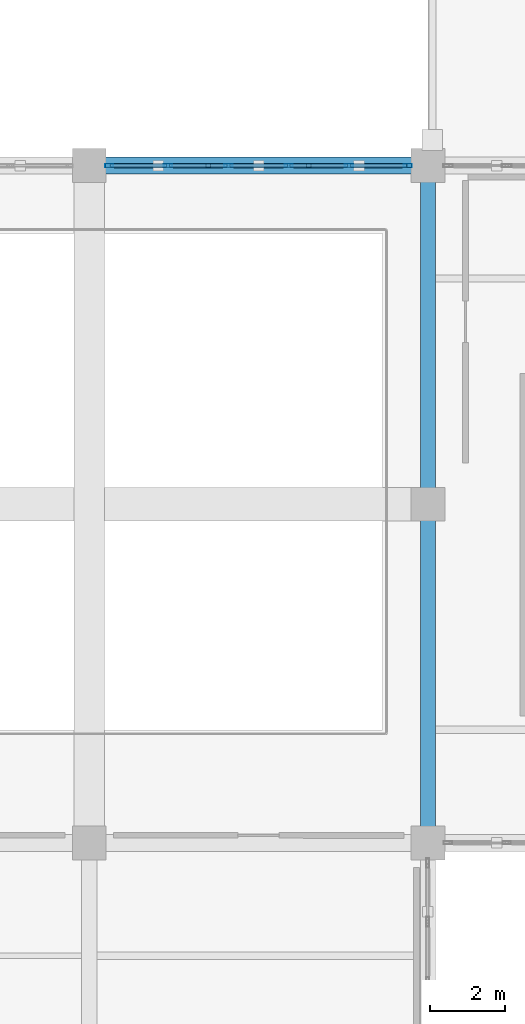
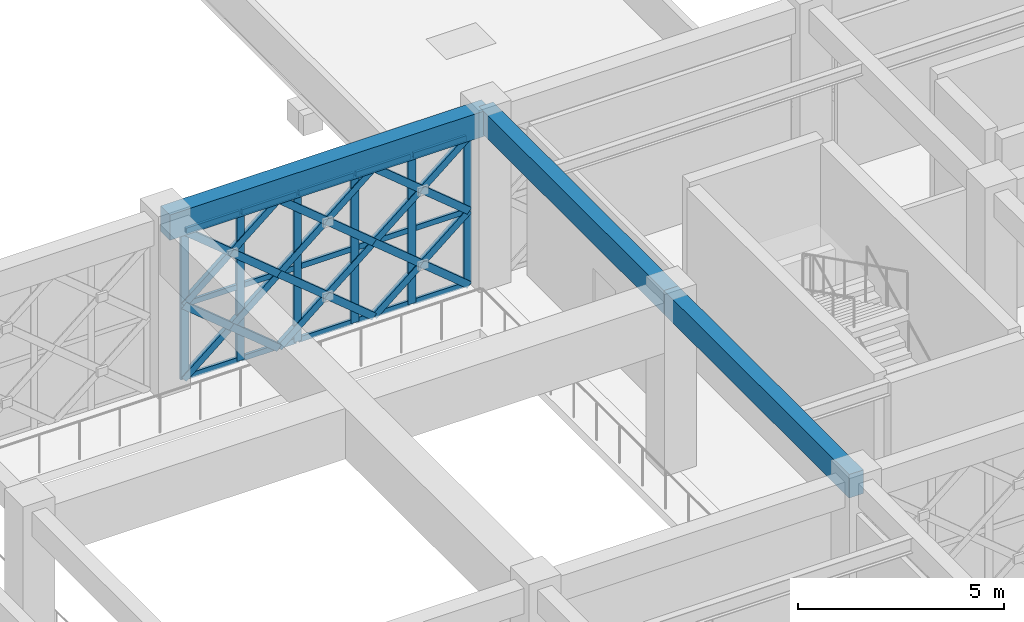
# One storey, part 98 of 155: 39 members, 3 beams, 1 element without a shape of its own.
"""IFC4 building model written with IfcOpenShell, lengths in metres."""

from ifc_helpers import new_model, si_unit, direction, frame, origin, origin_2d, place, context, subcontext, project, spatial, rectangle, hollow_rectangle, extrude, material, material_profile, profile_set, type_object, element, aggregate, save


model = new_model("IFC4")

# Units and contexts
model_context = context("Model", 3, precision=1e-05, world=origin(), true_north=direction((0.0, 1.0)))
body_context = subcontext(model_context, "Body", "Model", "MODEL_VIEW")
ifc_project = project(units=[si_unit("LENGTHUNIT", "METRE"), si_unit("AREAUNIT", "SQUARE_METRE"), si_unit("VOLUMEUNIT", "CUBIC_METRE"), si_unit("PLANEANGLEUNIT", "RADIAN"), si_unit("MASSUNIT", "GRAM", prefix="KILO")], contexts=[model_context])

# Site, building, storey
site_placement = place(None, origin())
site = spatial("IfcSite", under=ifc_project, at=site_placement, CompositionType="ELEMENT")
building_placement = place(site_placement, origin())
building = spatial("IfcBuilding", under=site, at=building_placement, Name="Haizhuo Lancet Aquarium", CompositionType="ELEMENT")
storey_placement = place(building_placement, frame((0.0, 0.0, 10.800048828125)))
storey = spatial("IfcBuildingStorey", under=building, at=storey_placement, Name="L02", CompositionType="ELEMENT", Elevation=10.800048828125)

# Beams
ifc_material_1 = material(Name="Concrete C40/50", Category="concrete")
ifc_material_profile_1 = material_profile(ifc_material_1, rectangle(XDim=0.39990234375, YDim=0.699951171875, at=origin_2d()), Name="RC-BM 400x700")
ifc_profile_set_1 = profile_set([ifc_material_profile_1], Name="Concrete C40/50")
beam_type_1 = type_object("IfcBeamType", Name="BM-RC-400x700", PredefinedType="BEAM", material=ifc_profile_set_1)
for number, where, z_axis, x_axis, name in (
    (1, (54.0, -27.0, 4.81005859375), (0.0, 1.0, 0.0), (-1.0, 0.0, 0.0), "L02 V3 primary girder BM-L02-V3-018"),
    (2, (54.0, -18.0, 4.81005859375), (0.0, 1.0, 0.0), (-1.0, 0.0, 0.0), "L02 V3 primary girder BM-L02-V3-020"),
):
    element("IfcBeam", number, at=place(storey_placement, frame(where, z_axis=z_axis, x_axis=x_axis)), inside=storey, type_object=beam_type_1, Name=name, PredefinedType="BEAM", context=body_context, shape_type="SweptSolid", body=[
        extrude(rectangle(XDim=0.39990234375, YDim=0.699951171875, at=origin_2d()), origin(), (0.0, 0.0, 1.0), 9.0),
    ])
ifc_material_profile_2 = material_profile(ifc_material_1, rectangle(XDim=0.449951171875, YDim=0.75, at=origin_2d()), Name="RC-BM 450x750")
ifc_profile_set_2 = profile_set([ifc_material_profile_2], Name="Concrete C40/50")
beam_type_2 = type_object("IfcBeamType", Name="BM-RC-450x750", PredefinedType="BEAM", material=ifc_profile_set_2)
beam_placement = place(storey_placement, frame((45.0, -9.0, 4.784912109375), z_axis=(1.0, 0.0, 0.0), x_axis=(0.0, 1.0, 0.0)))
element("IfcBeam", 3, at=beam_placement, inside=storey, type_object=beam_type_2, Name="L02 V3 primary girder BM-L02-V3-016", PredefinedType="BEAM", context=body_context, shape_type="SweptSolid", body=[
    extrude(rectangle(XDim=0.449951171875, YDim=0.75, at=origin_2d()), origin(), (0.0, 0.0, 1.0), 9.0),
])

# Curtain wall, members
ifc_material_2 = material(Name="Aluminium 6063-T6", Category="aluminium")
curtain_wall_type = type_object("IfcCurtainWallType", Name="CWO-8010x4410", PredefinedType="NOTDEFINED", material=ifc_material_2)
curtain_wall_placement = place(storey_placement, origin())
curtain_wall = element("IfcCurtainWall", 4, at=curtain_wall_placement, inside=storey, type_object=curtain_wall_type, Name="L02 curtain wall CW-V3-L02-053", PredefinedType="NOTDEFINED")
ifc_material_profile_3 = material_profile(ifc_material_2, hollow_rectangle(XDim=0.074951171875, YDim=0.219970703125, WallThickness=0.0048828125, at=origin_2d()), Name="ALU-M 75x220x5")
ifc_profile_set_3 = profile_set([ifc_material_profile_3], Name="Aluminium 6063-T6")
member_type_1 = type_object("IfcMemberType", Name="CW-MUL-2", PredefinedType="MULLION", material=ifc_profile_set_3)
member_1_placement = place(storey_placement, frame((45.531982421875, -9.0, 0.0), z_axis=(0.0, 0.0, 1.0), x_axis=(0.0, 1.0, 0.0)))
member_1 = element("IfcMember", 5, at=member_1_placement, type_object=member_type_1, Name="CWO-80x44 mullion 1", PredefinedType="MULLION", context=body_context, shape_type="SweptSolid", body=[
    extrude(hollow_rectangle(XDim=0.074951171875, YDim=0.219970703125, WallThickness=0.0048828125, at=origin_2d()), origin(), (0.0, 0.0, 1.0), 4.409912109375),
])
member_2_placement = place(storey_placement, frame((47.096923828125, -9.0, 0.0), z_axis=(0.0, 0.0, 1.0), x_axis=(0.0, 1.0, 0.0)))
member_2 = element("IfcMember", 6, at=member_2_placement, type_object=member_type_1, Name="CWO-80x44 mullion 2", PredefinedType="MULLION", context=body_context, shape_type="SweptSolid", body=[
    extrude(hollow_rectangle(XDim=0.074951171875, YDim=0.219970703125, WallThickness=0.0048828125, at=origin_2d()), origin(), (0.0, 0.0, 1.0), 4.409912109375),
])
member_3_placement = place(storey_placement, frame((48.698974609375, -9.0, 0.0), z_axis=(0.0, 0.0, 1.0), x_axis=(0.0, 1.0, 0.0)))
member_3 = element("IfcMember", 7, at=member_3_placement, type_object=member_type_1, Name="CWO-80x44 mullion 3", PredefinedType="MULLION", context=body_context, shape_type="SweptSolid", body=[
    extrude(hollow_rectangle(XDim=0.074951171875, YDim=0.219970703125, WallThickness=0.0048828125, at=origin_2d()), origin(), (0.0, 0.0, 1.0), 4.409912109375),
])
member_4_placement = place(storey_placement, frame((50.301025390625, -9.0, 0.0), z_axis=(0.0, 0.0, 1.0), x_axis=(0.0, 1.0, 0.0)))
member_4 = element("IfcMember", 8, at=member_4_placement, type_object=member_type_1, Name="CWO-80x44 mullion 4", PredefinedType="MULLION", context=body_context, shape_type="SweptSolid", body=[
    extrude(hollow_rectangle(XDim=0.074951171875, YDim=0.219970703125, WallThickness=0.0048828125, at=origin_2d()), origin(), (0.0, 0.0, 1.0), 4.409912109375),
])
member_5_placement = place(storey_placement, frame((51.903076171875, -9.0, 0.0), z_axis=(0.0, 0.0, 1.0), x_axis=(0.0, 1.0, 0.0)))
member_5 = element("IfcMember", 9, at=member_5_placement, type_object=member_type_1, Name="CWO-80x44 mullion 5", PredefinedType="MULLION", context=body_context, shape_type="SweptSolid", body=[
    extrude(hollow_rectangle(XDim=0.074951171875, YDim=0.219970703125, WallThickness=0.0048828125, at=origin_2d()), origin(), (0.0, 0.0, 1.0), 4.409912109375),
])
member_6_placement = place(storey_placement, frame((53.468017578125, -9.0, 0.0), z_axis=(0.0, 0.0, 1.0), x_axis=(0.0, 1.0, 0.0)))
member_6 = element("IfcMember", 10, at=member_6_placement, type_object=member_type_1, Name="CWO-80x44 mullion 6", PredefinedType="MULLION", context=body_context, shape_type="SweptSolid", body=[
    extrude(hollow_rectangle(XDim=0.074951171875, YDim=0.219970703125, WallThickness=0.0048828125, at=origin_2d()), origin(), (0.0, 0.0, 1.0), 4.409912109375),
])
ifc_material_profile_4 = material_profile(ifc_material_2, hollow_rectangle(XDim=0.074951171875, YDim=0.159912109375, WallThickness=0.00390625, at=origin_2d()), Name="ALU-T 75x160x4")
ifc_profile_set_4 = profile_set([ifc_material_profile_4], Name="Aluminium 6063-T6")
member_type_2 = type_object("IfcMemberType", Name="CW-TRN-2", PredefinedType="NOTDEFINED", material=ifc_profile_set_4)
member_7_placement = place(storey_placement, frame((45.570068359375, -9.0, 0.037841796875), z_axis=(1.0, 0.0, 0.0), x_axis=(0.0, 1.0, 0.0)))
member_7 = element("IfcMember", 11, at=member_7_placement, type_object=member_type_2, Name="CWO-80x44 transom 1.1", ObjectType="TRANSOM", PredefinedType="USERDEFINED", context=body_context, shape_type="SweptSolid", body=[
    extrude(hollow_rectangle(XDim=0.074951171875, YDim=0.159912109375, WallThickness=0.00390625, at=origin_2d()), origin(), (0.0, 0.0, 1.0), 1.489013671875),
])
member_8_placement = place(storey_placement, frame((45.570068359375, -9.0, 2.204833984375), z_axis=(1.0, 0.0, 0.0), x_axis=(0.0, 1.0, 0.0)))
member_8 = element("IfcMember", 12, at=member_8_placement, type_object=member_type_2, Name="CWO-80x44 transom 1.2", ObjectType="TRANSOM", PredefinedType="USERDEFINED", context=body_context, shape_type="SweptSolid", body=[
    extrude(hollow_rectangle(XDim=0.074951171875, YDim=0.159912109375, WallThickness=0.00390625, at=origin_2d()), origin(), (0.0, 0.0, 1.0), 1.489013671875),
])
member_9_placement = place(storey_placement, frame((45.570068359375, -9.0, 4.373046875), z_axis=(1.0, 0.0, 0.0), x_axis=(0.0, 1.0, 0.0)))
member_9 = element("IfcMember", 13, at=member_9_placement, type_object=member_type_2, Name="CWO-80x44 transom 1.3", ObjectType="TRANSOM", PredefinedType="USERDEFINED", context=body_context, shape_type="SweptSolid", body=[
    extrude(hollow_rectangle(XDim=0.074951171875, YDim=0.159912109375, WallThickness=0.00390625, at=origin_2d()), origin(), (0.0, 0.0, 1.0), 1.489013671875),
])
member_10_placement = place(storey_placement, frame((47.134033203125, -9.0, 0.037841796875), z_axis=(1.0, 0.0, 0.0), x_axis=(0.0, 1.0, 0.0)))
member_10 = element("IfcMember", 14, at=member_10_placement, type_object=member_type_2, Name="CWO-80x44 transom 2.1", ObjectType="TRANSOM", PredefinedType="USERDEFINED", context=body_context, shape_type="SweptSolid", body=[
    extrude(hollow_rectangle(XDim=0.074951171875, YDim=0.159912109375, WallThickness=0.00390625, at=origin_2d()), origin(), (0.0, 0.0, 1.0), 1.52685546875),
])
member_11_placement = place(storey_placement, frame((47.134033203125, -9.0, 2.204833984375), z_axis=(1.0, 0.0, 0.0), x_axis=(0.0, 1.0, 0.0)))
member_11 = element("IfcMember", 15, at=member_11_placement, type_object=member_type_2, Name="CWO-80x44 transom 2.2", ObjectType="TRANSOM", PredefinedType="USERDEFINED", context=body_context, shape_type="SweptSolid", body=[
    extrude(hollow_rectangle(XDim=0.074951171875, YDim=0.159912109375, WallThickness=0.00390625, at=origin_2d()), origin(), (0.0, 0.0, 1.0), 1.52685546875),
])
member_12_placement = place(storey_placement, frame((47.134033203125, -9.0, 4.373046875), z_axis=(1.0, 0.0, 0.0), x_axis=(0.0, 1.0, 0.0)))
member_12 = element("IfcMember", 16, at=member_12_placement, type_object=member_type_2, Name="CWO-80x44 transom 2.3", ObjectType="TRANSOM", PredefinedType="USERDEFINED", context=body_context, shape_type="SweptSolid", body=[
    extrude(hollow_rectangle(XDim=0.074951171875, YDim=0.159912109375, WallThickness=0.00390625, at=origin_2d()), origin(), (0.0, 0.0, 1.0), 1.52685546875),
])
member_13_placement = place(storey_placement, frame((48.736083984375, -9.0, 0.037841796875), z_axis=(1.0, 0.0, 0.0), x_axis=(0.0, 1.0, 0.0)))
member_13 = element("IfcMember", 17, at=member_13_placement, type_object=member_type_2, Name="CWO-80x44 transom 3.1", ObjectType="TRANSOM", PredefinedType="USERDEFINED", context=body_context, shape_type="SweptSolid", body=[
    extrude(hollow_rectangle(XDim=0.074951171875, YDim=0.159912109375, WallThickness=0.00390625, at=origin_2d()), origin(), (0.0, 0.0, 1.0), 1.52783203125),
])
member_14_placement = place(storey_placement, frame((48.736083984375, -9.0, 2.204833984375), z_axis=(1.0, 0.0, 0.0), x_axis=(0.0, 1.0, 0.0)))
member_14 = element("IfcMember", 18, at=member_14_placement, type_object=member_type_2, Name="CWO-80x44 transom 3.2", ObjectType="TRANSOM", PredefinedType="USERDEFINED", context=body_context, shape_type="SweptSolid", body=[
    extrude(hollow_rectangle(XDim=0.074951171875, YDim=0.159912109375, WallThickness=0.00390625, at=origin_2d()), origin(), (0.0, 0.0, 1.0), 1.52783203125),
])
member_15_placement = place(storey_placement, frame((48.736083984375, -9.0, 4.373046875), z_axis=(1.0, 0.0, 0.0), x_axis=(0.0, 1.0, 0.0)))
member_15 = element("IfcMember", 19, at=member_15_placement, type_object=member_type_2, Name="CWO-80x44 transom 3.3", ObjectType="TRANSOM", PredefinedType="USERDEFINED", context=body_context, shape_type="SweptSolid", body=[
    extrude(hollow_rectangle(XDim=0.074951171875, YDim=0.159912109375, WallThickness=0.00390625, at=origin_2d()), origin(), (0.0, 0.0, 1.0), 1.52783203125),
])
member_16_placement = place(storey_placement, frame((50.337890625, -9.0, 0.037841796875), z_axis=(1.0, 0.0, 0.0), x_axis=(0.0, 1.0, 0.0)))
member_16 = element("IfcMember", 20, at=member_16_placement, type_object=member_type_2, Name="CWO-80x44 transom 4.1", ObjectType="TRANSOM", PredefinedType="USERDEFINED", context=body_context, shape_type="SweptSolid", body=[
    extrude(hollow_rectangle(XDim=0.074951171875, YDim=0.159912109375, WallThickness=0.00390625, at=origin_2d()), origin(), (0.0, 0.0, 1.0), 1.528076171875),
])
member_17_placement = place(storey_placement, frame((50.337890625, -9.0, 2.204833984375), z_axis=(1.0, 0.0, 0.0), x_axis=(0.0, 1.0, 0.0)))
member_17 = element("IfcMember", 21, at=member_17_placement, type_object=member_type_2, Name="CWO-80x44 transom 4.2", ObjectType="TRANSOM", PredefinedType="USERDEFINED", context=body_context, shape_type="SweptSolid", body=[
    extrude(hollow_rectangle(XDim=0.074951171875, YDim=0.159912109375, WallThickness=0.00390625, at=origin_2d()), origin(), (0.0, 0.0, 1.0), 1.528076171875),
])
member_18_placement = place(storey_placement, frame((50.337890625, -9.0, 4.373046875), z_axis=(1.0, 0.0, 0.0), x_axis=(0.0, 1.0, 0.0)))
member_18 = element("IfcMember", 22, at=member_18_placement, type_object=member_type_2, Name="CWO-80x44 transom 4.3", ObjectType="TRANSOM", PredefinedType="USERDEFINED", context=body_context, shape_type="SweptSolid", body=[
    extrude(hollow_rectangle(XDim=0.074951171875, YDim=0.159912109375, WallThickness=0.00390625, at=origin_2d()), origin(), (0.0, 0.0, 1.0), 1.528076171875),
])
member_19_placement = place(storey_placement, frame((51.94091796875, -9.0, 0.037841796875), z_axis=(1.0, 0.0, 0.0), x_axis=(0.0, 1.0, 0.0)))
member_19 = element("IfcMember", 23, at=member_19_placement, type_object=member_type_2, Name="CWO-80x44 transom 5.1", ObjectType="TRANSOM", PredefinedType="USERDEFINED", context=body_context, shape_type="SweptSolid", body=[
    extrude(hollow_rectangle(XDim=0.074951171875, YDim=0.159912109375, WallThickness=0.00390625, at=origin_2d()), origin(), (0.0, 0.0, 1.0), 1.489013671875),
])
member_20_placement = place(storey_placement, frame((51.94091796875, -9.0, 2.204833984375), z_axis=(1.0, 0.0, 0.0), x_axis=(0.0, 1.0, 0.0)))
member_20 = element("IfcMember", 24, at=member_20_placement, type_object=member_type_2, Name="CWO-80x44 transom 5.2", ObjectType="TRANSOM", PredefinedType="USERDEFINED", context=body_context, shape_type="SweptSolid", body=[
    extrude(hollow_rectangle(XDim=0.074951171875, YDim=0.159912109375, WallThickness=0.00390625, at=origin_2d()), origin(), (0.0, 0.0, 1.0), 1.489013671875),
])
member_21_placement = place(storey_placement, frame((51.94091796875, -9.0, 4.373046875), z_axis=(1.0, 0.0, 0.0), x_axis=(0.0, 1.0, 0.0)))
member_21 = element("IfcMember", 25, at=member_21_placement, type_object=member_type_2, Name="CWO-80x44 transom 5.3", ObjectType="TRANSOM", PredefinedType="USERDEFINED", context=body_context, shape_type="SweptSolid", body=[
    extrude(hollow_rectangle(XDim=0.074951171875, YDim=0.159912109375, WallThickness=0.00390625, at=origin_2d()), origin(), (0.0, 0.0, 1.0), 1.489013671875),
])
aggregate(curtain_wall, [member_1, member_2, member_3, member_4, member_5, member_6, member_7, member_8, member_9, member_10, member_11, member_12, member_13, member_14, member_15, member_16, member_17, member_18, member_19, member_20, member_21])

# Members
ifc_material_3 = material(Name="Steel S355", Category="steel")
ifc_material_profile_5 = material_profile(ifc_material_3, hollow_rectangle(XDim=0.1201171875, YDim=0.199951171875, WallThickness=0.008056640625, at=origin_2d()), Name="RHS 120x200x8")
ifc_profile_set_5 = profile_set([ifc_material_profile_5], Name="Steel S355")
member_type_3 = type_object("IfcMemberType", Name="MEM-LB-RHS120x200", PredefinedType="BRACE", material=ifc_profile_set_5)
member_22_placement = place(storey_placement, frame((45.4951171875, -9.0, 0.0), z_axis=(0.771068610934, 0.0, 0.636752068887), x_axis=(0.0, 1.0, 0.0)))
element("IfcMember", 26, at=member_22_placement, inside=storey, type_object=member_type_3, Name="Gothic lancet continuous diagonal brace CW-V3-L02-053 1A", PredefinedType="BRACE", context=body_context, shape_type="SweptSolid", body=[
    extrude(hollow_rectangle(XDim=0.1201171875, YDim=0.199951171875, WallThickness=0.008056640625, at=origin_2d()), origin(), (0.0, 0.0, 1.0), 3.462646484375),
])
member_23_placement = place(storey_placement, frame((48.1650390625, -9.0, 0.0), z_axis=(-0.771172467693, 0.0, 0.63662628368), x_axis=(0.0, -1.0, 0.0)))
element("IfcMember", 27, at=member_23_placement, inside=storey, type_object=member_type_3, Name="Gothic lancet split diagonal brace CW-V3-L02-053 1B1", PredefinedType="BRACE", context=body_context, shape_type="SweptSolid", body=[
    extrude(hollow_rectangle(XDim=0.1201171875, YDim=0.199951171875, WallThickness=0.008056640625, at=origin_2d()), origin(), (0.0, 0.0, 1.0), 1.731201171875),
])
member_24_placement = place(storey_placement, frame((46.830078125, -9.0, 1.10205078125), z_axis=(-0.77096476164, 0.0, 0.636877803279), x_axis=(0.0, -1.0, 0.0)))
element("IfcMember", 28, at=member_24_placement, inside=storey, type_object=member_type_3, Name="Gothic lancet split diagonal brace CW-V3-L02-053 1B2", PredefinedType="BRACE", context=body_context, shape_type="SweptSolid", body=[
    extrude(hollow_rectangle(XDim=0.1201171875, YDim=0.199951171875, WallThickness=0.008056640625, at=origin_2d()), origin(), (0.0, 0.0, 1.0), 1.7314453125),
])
member_25_placement = place(storey_placement, frame((45.4951171875, -9.0, 2.204833984375), z_axis=(0.771033993673, 0.0, 0.636793985996), x_axis=(0.0, 1.0, 0.0)))
element("IfcMember", 29, at=member_25_placement, inside=storey, type_object=member_type_3, Name="Gothic lancet continuous diagonal brace CW-V3-L02-053 2A", PredefinedType="BRACE", context=body_context, shape_type="SweptSolid", body=[
    extrude(hollow_rectangle(XDim=0.1201171875, YDim=0.199951171875, WallThickness=0.008056640625, at=origin_2d()), origin(), (0.0, 0.0, 1.0), 3.462890625),
])
member_26_placement = place(storey_placement, frame((48.1650390625, -9.0, 2.204833984375), z_axis=(-0.770895532931, 0.0, 0.636961597985), x_axis=(0.0, -1.0, 0.0)))
element("IfcMember", 30, at=member_26_placement, inside=storey, type_object=member_type_3, Name="Gothic lancet split diagonal brace CW-V3-L02-053 2B1", PredefinedType="BRACE", context=body_context, shape_type="SweptSolid", body=[
    extrude(hollow_rectangle(XDim=0.1201171875, YDim=0.199951171875, WallThickness=0.008056640625, at=origin_2d()), origin(), (0.0, 0.0, 1.0), 1.731689453125),
])
member_27_placement = place(storey_placement, frame((46.830078125, -9.0, 3.307861328125), z_axis=(-0.771172467693, 0.0, 0.63662628368), x_axis=(0.0, -1.0, 0.0)))
element("IfcMember", 31, at=member_27_placement, inside=storey, type_object=member_type_3, Name="Gothic lancet split diagonal brace CW-V3-L02-053 2B2", PredefinedType="BRACE", context=body_context, shape_type="SweptSolid", body=[
    extrude(hollow_rectangle(XDim=0.1201171875, YDim=0.199951171875, WallThickness=0.008056640625, at=origin_2d()), origin(), (0.0, 0.0, 1.0), 1.731201171875),
])
member_28_placement = place(storey_placement, frame((48.1650390625, -9.0, 0.0), z_axis=(0.771068610934, 0.0, 0.636752068887), x_axis=(0.0, 1.0, 0.0)))
element("IfcMember", 32, at=member_28_placement, inside=storey, type_object=member_type_3, Name="Gothic lancet continuous diagonal brace CW-V3-L02-053 3A", PredefinedType="BRACE", context=body_context, shape_type="SweptSolid", body=[
    extrude(hollow_rectangle(XDim=0.1201171875, YDim=0.199951171875, WallThickness=0.008056640625, at=origin_2d()), origin(), (0.0, 0.0, 1.0), 3.462646484375),
])
member_29_placement = place(storey_placement, frame((50.8349609375, -9.0, 0.0), z_axis=(-0.771172467693, 0.0, 0.63662628368), x_axis=(0.0, -1.0, 0.0)))
element("IfcMember", 33, at=member_29_placement, inside=storey, type_object=member_type_3, Name="Gothic lancet split diagonal brace CW-V3-L02-053 3B1", PredefinedType="BRACE", context=body_context, shape_type="SweptSolid", body=[
    extrude(hollow_rectangle(XDim=0.1201171875, YDim=0.199951171875, WallThickness=0.008056640625, at=origin_2d()), origin(), (0.0, 0.0, 1.0), 1.731201171875),
])
member_30_placement = place(storey_placement, frame((49.5, -9.0, 1.10205078125), z_axis=(-0.77096476164, 0.0, 0.636877803279), x_axis=(0.0, -1.0, 0.0)))
element("IfcMember", 34, at=member_30_placement, inside=storey, type_object=member_type_3, Name="Gothic lancet split diagonal brace CW-V3-L02-053 3B2", PredefinedType="BRACE", context=body_context, shape_type="SweptSolid", body=[
    extrude(hollow_rectangle(XDim=0.1201171875, YDim=0.199951171875, WallThickness=0.008056640625, at=origin_2d()), origin(), (0.0, 0.0, 1.0), 1.7314453125),
])
member_31_placement = place(storey_placement, frame((48.1650390625, -9.0, 2.204833984375), z_axis=(0.771033993673, 0.0, 0.636793985996), x_axis=(0.0, 1.0, 0.0)))
element("IfcMember", 35, at=member_31_placement, inside=storey, type_object=member_type_3, Name="Gothic lancet continuous diagonal brace CW-V3-L02-053 4A", PredefinedType="BRACE", context=body_context, shape_type="SweptSolid", body=[
    extrude(hollow_rectangle(XDim=0.1201171875, YDim=0.199951171875, WallThickness=0.008056640625, at=origin_2d()), origin(), (0.0, 0.0, 1.0), 3.462890625),
])
member_32_placement = place(storey_placement, frame((50.8349609375, -9.0, 2.204833984375), z_axis=(-0.770895532931, 0.0, 0.636961597985), x_axis=(0.0, -1.0, 0.0)))
element("IfcMember", 36, at=member_32_placement, inside=storey, type_object=member_type_3, Name="Gothic lancet split diagonal brace CW-V3-L02-053 4B1", PredefinedType="BRACE", context=body_context, shape_type="SweptSolid", body=[
    extrude(hollow_rectangle(XDim=0.1201171875, YDim=0.199951171875, WallThickness=0.008056640625, at=origin_2d()), origin(), (0.0, 0.0, 1.0), 1.731689453125),
])
member_33_placement = place(storey_placement, frame((49.5, -9.0, 3.307861328125), z_axis=(-0.771172467693, 0.0, 0.63662628368), x_axis=(0.0, -1.0, 0.0)))
element("IfcMember", 37, at=member_33_placement, inside=storey, type_object=member_type_3, Name="Gothic lancet split diagonal brace CW-V3-L02-053 4B2", PredefinedType="BRACE", context=body_context, shape_type="SweptSolid", body=[
    extrude(hollow_rectangle(XDim=0.1201171875, YDim=0.199951171875, WallThickness=0.008056640625, at=origin_2d()), origin(), (0.0, 0.0, 1.0), 1.731201171875),
])
member_34_placement = place(storey_placement, frame((50.8349609375, -9.0, 0.0), z_axis=(0.771068610934, 0.0, 0.636752068887), x_axis=(0.0, 1.0, 0.0)))
element("IfcMember", 38, at=member_34_placement, inside=storey, type_object=member_type_3, Name="Gothic lancet continuous diagonal brace CW-V3-L02-053 5A", PredefinedType="BRACE", context=body_context, shape_type="SweptSolid", body=[
    extrude(hollow_rectangle(XDim=0.1201171875, YDim=0.199951171875, WallThickness=0.008056640625, at=origin_2d()), origin(), (0.0, 0.0, 1.0), 3.462646484375),
])
member_35_placement = place(storey_placement, frame((53.5048828125, -9.0, 0.0), z_axis=(-0.771172467693, 0.0, 0.63662628368), x_axis=(0.0, -1.0, 0.0)))
element("IfcMember", 39, at=member_35_placement, inside=storey, type_object=member_type_3, Name="Gothic lancet split diagonal brace CW-V3-L02-053 5B1", PredefinedType="BRACE", context=body_context, shape_type="SweptSolid", body=[
    extrude(hollow_rectangle(XDim=0.1201171875, YDim=0.199951171875, WallThickness=0.008056640625, at=origin_2d()), origin(), (0.0, 0.0, 1.0), 1.731201171875),
])
member_36_placement = place(storey_placement, frame((52.169921875, -9.0, 1.10205078125), z_axis=(-0.77096476164, 0.0, 0.636877803279), x_axis=(0.0, -1.0, 0.0)))
element("IfcMember", 40, at=member_36_placement, inside=storey, type_object=member_type_3, Name="Gothic lancet split diagonal brace CW-V3-L02-053 5B2", PredefinedType="BRACE", context=body_context, shape_type="SweptSolid", body=[
    extrude(hollow_rectangle(XDim=0.1201171875, YDim=0.199951171875, WallThickness=0.008056640625, at=origin_2d()), origin(), (0.0, 0.0, 1.0), 1.7314453125),
])
member_37_placement = place(storey_placement, frame((50.8349609375, -9.0, 2.204833984375), z_axis=(0.771033993673, 0.0, 0.636793985996), x_axis=(0.0, 1.0, 0.0)))
element("IfcMember", 41, at=member_37_placement, inside=storey, type_object=member_type_3, Name="Gothic lancet continuous diagonal brace CW-V3-L02-053 6A", PredefinedType="BRACE", context=body_context, shape_type="SweptSolid", body=[
    extrude(hollow_rectangle(XDim=0.1201171875, YDim=0.199951171875, WallThickness=0.008056640625, at=origin_2d()), origin(), (0.0, 0.0, 1.0), 3.462890625),
])
member_38_placement = place(storey_placement, frame((53.5048828125, -9.0, 2.204833984375), z_axis=(-0.770895532931, 0.0, 0.636961597985), x_axis=(0.0, -1.0, 0.0)))
element("IfcMember", 42, at=member_38_placement, inside=storey, type_object=member_type_3, Name="Gothic lancet split diagonal brace CW-V3-L02-053 6B1", PredefinedType="BRACE", context=body_context, shape_type="SweptSolid", body=[
    extrude(hollow_rectangle(XDim=0.1201171875, YDim=0.199951171875, WallThickness=0.008056640625, at=origin_2d()), origin(), (0.0, 0.0, 1.0), 1.731689453125),
])
member_39_placement = place(storey_placement, frame((52.169921875, -9.0, 3.307861328125), z_axis=(-0.771172467693, 0.0, 0.63662628368), x_axis=(0.0, -1.0, 0.0)))
element("IfcMember", 43, at=member_39_placement, inside=storey, type_object=member_type_3, Name="Gothic lancet split diagonal brace CW-V3-L02-053 6B2", PredefinedType="BRACE", context=body_context, shape_type="SweptSolid", body=[
    extrude(hollow_rectangle(XDim=0.1201171875, YDim=0.199951171875, WallThickness=0.008056640625, at=origin_2d()), origin(), (0.0, 0.0, 1.0), 1.731201171875),
])

save(model, "model.ifc")
